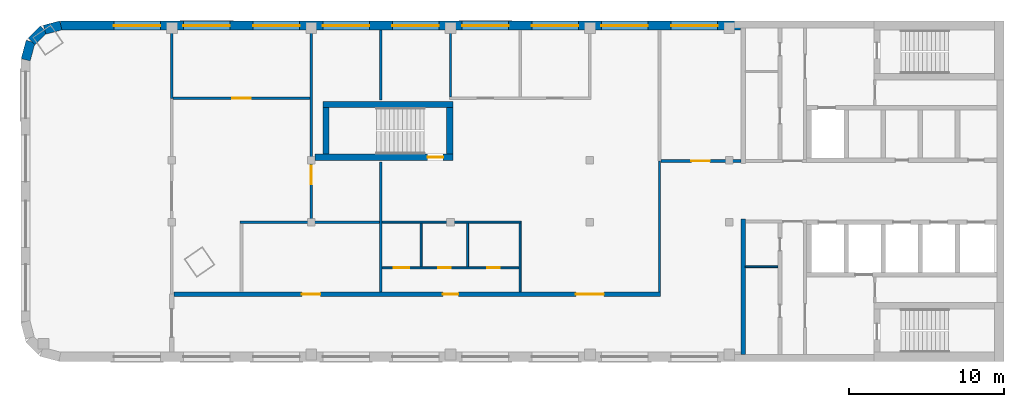
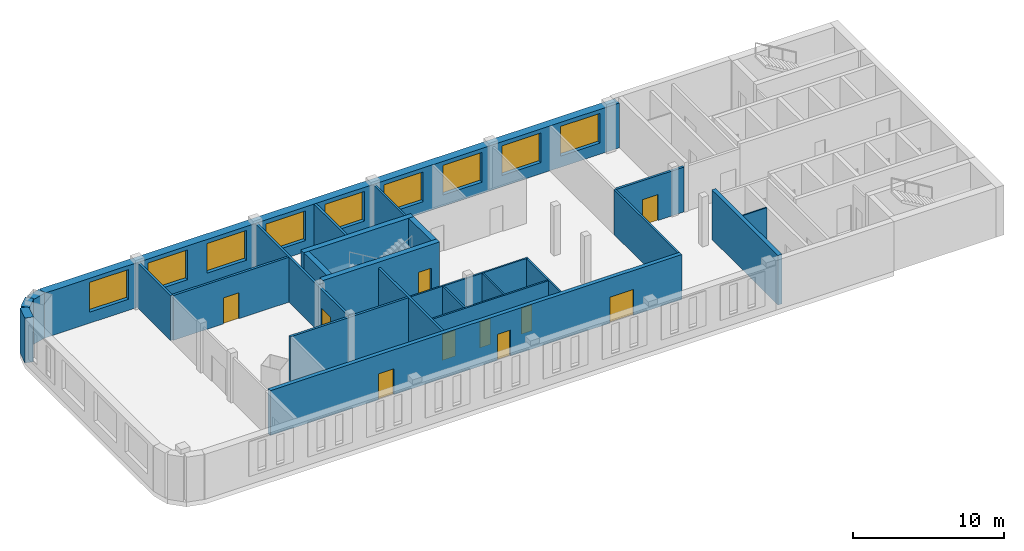
# One storey, part 2 of 5: 25 walls, 10 doors, 9 windows, 19 openings.
"""IFC4 building model written with IfcOpenShell, lengths in metres."""

from ifc_helpers import new_model, si_unit, direction, frame, frame_2d, origin, place, context, subcontext, project, spatial, rectangle, extrude, material, layer, layer_set, type_object, element, fill, save


model = new_model("IFC4")

# Units and contexts
model_context = context("Model", 3, precision=1e-05, world=origin(), true_north=direction((0.0, 1.0)))
body_context = subcontext(model_context, "Body", "Model", "MODEL_VIEW")
ifc_project = project(units=[si_unit("LENGTHUNIT", "METRE"), si_unit("AREAUNIT", "SQUARE_METRE"), si_unit("VOLUMEUNIT", "CUBIC_METRE"), si_unit("PLANEANGLEUNIT", "RADIAN"), si_unit("MASSUNIT", "GRAM", prefix="KILO")], contexts=[model_context])

# Site, building, storey
site_placement = place(None, origin())
site = spatial("IfcSite", under=ifc_project, at=site_placement, CompositionType="ELEMENT")
building_placement = place(site_placement, origin())
building = spatial("IfcBuilding", under=site, at=building_placement, Name="Skarvind Civic Tower", CompositionType="ELEMENT")
storey_placement = place(building_placement, frame((0.0, 0.0, 245.5)))
storey = spatial("IfcBuildingStorey", under=building, at=storey_placement, Name="L58", CompositionType="ELEMENT", Elevation=245.5)

# Wall, opening, door
ifc_material_1 = material(Name="Acoustic gypsum board on steel studs", Category="steel")
ifc_layer_1 = layer(ifc_material_1, 0.175048828125)
ifc_layer_set_1 = layer_set([ifc_layer_1], Name="ACOUSTIC MEETING-ROOM PARTITION 175")
wall_type_1 = type_object("IfcWallType", Name="ACOUSTIC MEETING-ROOM PARTITION 175", PredefinedType="PARTITIONING", material=ifc_layer_set_1)
wall_1_placement = place(storey_placement, frame((63.162109375, 134.0, 0.0), z_axis=(0.0, 0.0, 1.0), x_axis=(-1.0, 0.0, 0.0)))
wall_1 = element("IfcWall", 1, at=wall_1_placement, inside=storey, type_object=wall_type_1, Name="Partition 58.004", PredefinedType="PARTITIONING", context=body_context, shape_type="SweptSolid", body=[
    extrude(rectangle(XDim=8.82421875, YDim=0.175048828125, at=frame_2d((4.412109375, 0.0))), origin(), (0.0, 0.0, 1.0), 3.625),
])
opening_1_placement = place(wall_1_placement, frame((3.81201171875, 0.0, 0.0)))
opening_1 = element("IfcOpeningElement", 2, at=opening_1_placement, cuts=wall_1, Name="Opening L58-D010", PredefinedType="OPENING", context=body_context, shape_type="SweptSolid", body=[
    extrude(rectangle(XDim=1.199951171875, YDim=2.10009765625, at=frame_2d((0.60009765625, 1.050048828125))), frame((0.0, 0.097412109375, 0.0), z_axis=(0.0, -1.0, 0.0), x_axis=(1.0, 0.0, 0.0)), (0.0, 0.0, 1.0), 0.195068359375),
])
ifc_material_2 = material(Name="Timber door leaf", Category="wood")
door_type_1 = type_object("IfcDoorType", Name="DOOR 1200X2100 DOUBLE TIMBER", OperationType="NOTDEFINED", PredefinedType="DOOR", material=ifc_material_2)
door_1_placement = place(opening_1_placement, origin())
door_1 = element("IfcDoor", 3, at=door_1_placement, inside=storey, type_object=door_type_1, Name="Door L58-D010", OperationType="DOUBLE_DOOR_SINGLE_SWING", OverallHeight=2.10009765625, OverallWidth=1.199951171875, PredefinedType="DOOR", context=body_context, shape_type="SweptSolid", body=[
    extrude(rectangle(XDim=1.199951171875, YDim=2.10009765625, at=frame_2d((0.60009765625, 1.050048828125))), frame((0.0, 0.02490234375, 0.0), z_axis=(0.0, -1.0, 0.0), x_axis=(1.0, 0.0, 0.0)), (0.0, 0.0, 1.0), 0.050048828125),
])
fill(opening_1, door_1)

# Walls
wall_2_placement = place(storey_placement, frame((54.25, 138.39990234375, 0.0), z_axis=(0.0, 0.0, 1.0), x_axis=(0.0, -1.0, 0.0)))
element("IfcWall", 4, at=wall_2_placement, inside=storey, type_object=wall_type_1, Name="Partition 58.005", PredefinedType="PARTITIONING", context=body_context, shape_type="SweptSolid", body=[
    extrude(rectangle(XDim=4.39990234375, YDim=0.175048828125, at=frame_2d((2.199951171875, 0.0))), origin(), (0.0, 0.0, 1.0), 3.625),
])
wall_3_placement = place(storey_placement, frame((58.662109375, 126.0, 0.0), z_axis=(0.0, 0.0, 1.0), x_axis=(1.0, 0.0, 0.0)))
element("IfcWall", 5, at=wall_3_placement, inside=storey, type_object=wall_type_1, Name="Partition 58.007", PredefinedType="PARTITIONING", context=body_context, shape_type="SweptSolid", body=[
    extrude(rectangle(XDim=9.0, YDim=0.175048828125, at=frame_2d((4.5, 0.0))), origin(), (0.0, 0.0, 1.0), 3.625),
])

# Wall, opening, door
wall_4_placement = place(storey_placement, frame((63.25, 126.087890625, 0.0), z_axis=(0.0, 0.0, 1.0), x_axis=(0.0, 1.0, 0.0)))
wall_4 = element("IfcWall", 6, at=wall_4_placement, inside=storey, type_object=wall_type_1, Name="Partition 58.008", PredefinedType="PARTITIONING", context=body_context, shape_type="SweptSolid", body=[
    extrude(rectangle(XDim=12.31201171875, YDim=0.175048828125, at=frame_2d((6.156005859375, 0.0))), origin(), (0.0, 0.0, 1.0), 3.625),
])
opening_2_placement = place(wall_4_placement, frame((2.347412109375, 0.0, 0.0)))
opening_2 = element("IfcOpeningElement", 7, at=opening_2_placement, cuts=wall_4, Name="Opening L58-D012", PredefinedType="OPENING", context=body_context, shape_type="SweptSolid", body=[
    extrude(rectangle(XDim=1.199951171875, YDim=2.10009765625, at=frame_2d((0.60009765625, 1.050048828125))), frame((0.0, 0.097412109375, 0.0), z_axis=(0.0, -1.0, 0.0), x_axis=(1.0, 0.0, 0.0)), (0.0, 0.0, 1.0), 0.195068359375),
])
door_2_placement = place(opening_2_placement, origin())
door_2 = element("IfcDoor", 8, at=door_2_placement, inside=storey, type_object=door_type_1, Name="Door L58-D012", OperationType="DOUBLE_DOOR_SINGLE_SWING", OverallHeight=2.10009765625, OverallWidth=1.199951171875, PredefinedType="DOOR", context=body_context, shape_type="SweptSolid", body=[
    extrude(rectangle(XDim=1.199951171875, YDim=2.10009765625, at=frame_2d((0.60009765625, 1.050048828125))), frame((0.0, 0.02490234375, 0.0), z_axis=(0.0, -1.0, 0.0), x_axis=(1.0, 0.0, 0.0)), (0.0, 0.0, 1.0), 0.050048828125),
])
fill(opening_2, door_2)

# Walls
wall_5_placement = place(storey_placement, frame((67.75, 121.5, 0.0), z_axis=(0.0, 0.0, 1.0), x_axis=(0.0, 1.0, 0.0)))
element("IfcWall", 9, at=wall_5_placement, inside=storey, type_object=wall_type_1, Name="Partition 58.009", PredefinedType="PARTITIONING", context=body_context, shape_type="SweptSolid", body=[
    extrude(rectangle(XDim=8.39990234375, YDim=0.175048828125, at=frame_2d((4.199951171875, 0.0))), origin(), (0.0, 0.0, 1.0), 3.625),
])
wall_6_placement = place(storey_placement, frame((67.75, 133.89990234375, 0.0), z_axis=(0.0, 0.0, 1.0), x_axis=(0.0, 1.0, 0.0)))
element("IfcWall", 10, at=wall_6_placement, inside=storey, type_object=wall_type_1, Name="Partition 58.012", PredefinedType="PARTITIONING", context=body_context, shape_type="SweptSolid", body=[
    extrude(rectangle(XDim=4.5, YDim=0.175048828125, at=frame_2d((2.25, 0.0))), origin(), (0.0, 0.0, 1.0), 3.625),
])

# Wall, opening, door
wall_7_placement = place(storey_placement, frame((85.837890625, 129.949951171875, 0.0), z_axis=(0.0, 0.0, 1.0), x_axis=(1.0, 0.0, 0.0)))
wall_7 = element("IfcWall", 11, at=wall_7_placement, inside=storey, type_object=wall_type_1, Name="Partition 58.022", PredefinedType="PARTITIONING", context=body_context, shape_type="SweptSolid", body=[
    extrude(rectangle(XDim=5.162109375, YDim=0.175048828125, at=frame_2d((2.5810546875, 0.0))), origin(), (0.0, 0.0, 1.0), 3.625),
])
opening_3_placement = place(wall_7_placement, frame((1.970947265625, 0.0, 0.0)))
opening_3 = element("IfcOpeningElement", 12, at=opening_3_placement, cuts=wall_7, Name="Opening L58-D001", PredefinedType="OPENING", context=body_context, shape_type="SweptSolid", body=[
    extrude(rectangle(XDim=1.199951171875, YDim=2.10009765625, at=frame_2d((0.60009765625, 1.050048828125))), frame((0.0, 0.097412109375, 0.0), z_axis=(0.0, -1.0, 0.0), x_axis=(1.0, 0.0, 0.0)), (0.0, 0.0, 1.0), 0.195068359375),
])
door_3_placement = place(opening_3_placement, origin())
door_3 = element("IfcDoor", 13, at=door_3_placement, inside=storey, type_object=door_type_1, Name="Door L58-D001", OperationType="DOUBLE_DOOR_SINGLE_SWING", OverallHeight=2.10009765625, OverallWidth=1.199951171875, PredefinedType="DOOR", context=body_context, shape_type="SweptSolid", body=[
    extrude(rectangle(XDim=1.199951171875, YDim=2.10009765625, at=frame_2d((0.60009765625, 1.050048828125))), frame((0.0, 0.02490234375, 0.0), z_axis=(0.0, -1.0, 0.0), x_axis=(1.0, 0.0, 0.0)), (0.0, 0.0, 1.0), 0.050048828125),
])
fill(opening_3, door_3)

# Wall, openings, doors
ifc_material_3 = material(Name="Fire-rated gypsum board on steel studs", Category="steel")
ifc_layer_2 = layer(ifc_material_3, 0.300048828125)
ifc_layer_set_2 = layer_set([ifc_layer_2], Name="CORRIDOR WALL 300")
wall_type_2 = type_object("IfcWallType", Name="CORRIDOR WALL 300", PredefinedType="PARTITIONING", material=ifc_layer_set_2)
wall_8_placement = place(storey_placement, frame((54.39990234375, 121.35009765625, 0.0), z_axis=(0.0, 0.0, 1.0), x_axis=(1.0, 0.0, 0.0)))
wall_8 = element("IfcWall", 14, at=wall_8_placement, inside=storey, type_object=wall_type_2, Name="Partition 58.002", PredefinedType="PARTITIONING", context=body_context, shape_type="SweptSolid", body=[
    extrude(rectangle(XDim=31.425048828125, YDim=0.300048828125, at=frame_2d((15.71240234375, 0.0))), origin(), (0.0, 0.0, 1.0), 3.625),
])
opening_4_placement = place(wall_8_placement, frame((17.35009765625, 0.0, 0.0)))
opening_4 = element("IfcOpeningElement", 15, at=opening_4_placement, cuts=wall_8, Name="Opening L58-D002", PredefinedType="OPENING", context=body_context, shape_type="SweptSolid", body=[
    extrude(rectangle(XDim=1.0, YDim=2.10009765625, at=frame_2d((0.5, 1.050048828125))), frame((0.0, 0.159912109375, 0.0), z_axis=(0.0, -1.0, 0.0), x_axis=(1.0, 0.0, 0.0)), (0.0, 0.0, 1.0), 0.320068359375),
])
opening_5_placement = place(wall_8_placement, frame((25.949951171875, 0.0, 0.0)))
opening_5 = element("IfcOpeningElement", 16, at=opening_5_placement, cuts=wall_8, Name="Opening L58-D008", PredefinedType="OPENING", context=body_context, shape_type="SweptSolid", body=[
    extrude(rectangle(XDim=1.800048828125, YDim=2.10009765625, at=frame_2d((0.89990234375, 1.050048828125))), frame((0.0, 0.159912109375, 0.0), z_axis=(0.0, -1.0, 0.0), x_axis=(1.0, 0.0, 0.0)), (0.0, 0.0, 1.0), 0.320068359375),
])
opening_6_placement = place(wall_8_placement, frame((8.25, 0.0, 0.0)))
opening_6 = element("IfcOpeningElement", 17, at=opening_6_placement, cuts=wall_8, Name="Opening L58-D009", PredefinedType="OPENING", context=body_context, shape_type="SweptSolid", body=[
    extrude(rectangle(XDim=1.199951171875, YDim=2.10009765625, at=frame_2d((0.60009765625, 1.050048828125))), frame((0.0, 0.159912109375, 0.0), z_axis=(0.0, -1.0, 0.0), x_axis=(1.0, 0.0, 0.0)), (0.0, 0.0, 1.0), 0.320068359375),
])
ifc_material_4 = material(Name="Fire-rated timber door leaf", Category="wood")
door_type_2 = type_object("IfcDoorType", Name="FD1 1000x2100", OperationType="NOTDEFINED", PredefinedType="DOOR", material=ifc_material_4)
door_4_placement = place(opening_4_placement, origin())
door_4 = element("IfcDoor", 18, at=door_4_placement, inside=storey, type_object=door_type_2, Name="Door L58-D002", OperationType="SINGLE_SWING_LEFT", OverallHeight=2.10009765625, OverallWidth=1.0, PredefinedType="DOOR", context=body_context, shape_type="SweptSolid", body=[
    extrude(rectangle(XDim=1.0, YDim=2.10009765625, at=frame_2d((0.5, 1.050048828125))), frame((0.0, 0.02490234375, 0.0), z_axis=(0.0, -1.0, 0.0), x_axis=(1.0, 0.0, 0.0)), (0.0, 0.0, 1.0), 0.050048828125),
])
fill(opening_4, door_4)
door_type_3 = type_object("IfcDoorType", Name="FD4 1800x2100", OperationType="NOTDEFINED", PredefinedType="DOOR", material=ifc_material_4)
door_5_placement = place(opening_5_placement, origin())
door_5 = element("IfcDoor", 19, at=door_5_placement, inside=storey, type_object=door_type_3, Name="Door L58-D008", OperationType="DOUBLE_DOOR_SINGLE_SWING", OverallHeight=2.10009765625, OverallWidth=1.800048828125, PredefinedType="DOOR", context=body_context, shape_type="SweptSolid", body=[
    extrude(rectangle(XDim=1.800048828125, YDim=2.10009765625, at=frame_2d((0.89990234375, 1.050048828125))), frame((0.0, 0.02490234375, 0.0), z_axis=(0.0, -1.0, 0.0), x_axis=(1.0, 0.0, 0.0)), (0.0, 0.0, 1.0), 0.050048828125),
])
fill(opening_5, door_5)
door_type_4 = type_object("IfcDoorType", Name="FD6 1200x2100 DOUBLE", OperationType="NOTDEFINED", PredefinedType="DOOR", material=ifc_material_4)
door_6_placement = place(opening_6_placement, origin())
door_6 = element("IfcDoor", 20, at=door_6_placement, inside=storey, type_object=door_type_4, Name="Door L58-D009", OperationType="DOUBLE_DOOR_SINGLE_SWING", OverallHeight=2.10009765625, OverallWidth=1.199951171875, PredefinedType="DOOR", context=body_context, shape_type="SweptSolid", body=[
    extrude(rectangle(XDim=1.199951171875, YDim=2.10009765625, at=frame_2d((0.60009765625, 1.050048828125))), frame((0.0, 0.02490234375, 0.0), z_axis=(0.0, -1.0, 0.0), x_axis=(1.0, 0.0, 0.0)), (0.0, 0.0, 1.0), 0.050048828125),
])
fill(opening_6, door_6)

# Walls
ifc_material_5 = material(Name="Fire-rated plasterboard partition")
ifc_layer_3 = layer(ifc_material_5, 0.10009765625)
ifc_layer_set_3 = layer_set([ifc_layer_3], Name="Core partition wall 100")
wall_type_3 = type_object("IfcWallType", Name="Core partition wall 100", PredefinedType="PARTITIONING", material=ifc_layer_set_3)
wall_9_placement = place(storey_placement, frame((93.39990234375, 123.1201171875, 0.0), z_axis=(0.0, 0.0, 1.0), x_axis=(-1.0, 0.0, 0.0)))
element("IfcWall", 21, at=wall_9_placement, inside=storey, type_object=wall_type_3, Name="Core wall C1", PredefinedType="PARTITIONING", context=body_context, shape_type="SweptSolid", body=[
    extrude(rectangle(XDim=2.099853515625, YDim=0.10009765625, at=frame_2d((1.0498046875, 0.0))), origin(), (0.0, 0.0, 1.0), 3.625),
])
ifc_material_6 = material(Name="Concrete C60", Category="concrete")
ifc_layer_4 = layer(ifc_material_6, 0.300048828125)
ifc_layer_set_4 = layer_set([ifc_layer_4], Name="Core wall 300 C60")
wall_type_4 = type_object("IfcWallType", Name="Core wall 300 C60", PredefinedType="SHEAR", material=ifc_layer_set_4)
wall_10_placement = place(storey_placement, frame((91.14990234375, 126.199951171875, 0.0), z_axis=(0.0, 0.0, 1.0), x_axis=(0.0, -1.0, 0.0)))
element("IfcWall", 22, at=wall_10_placement, inside=storey, type_object=wall_type_4, Name="Core wall C1 north inner face L58", PredefinedType="SHEAR", context=body_context, shape_type="SweptSolid", body=[
    extrude(rectangle(XDim=8.75, YDim=0.300048828125, at=frame_2d((4.375, 0.0))), origin(), (0.0, 0.0, 1.0), 4.0),
])

# Wall, opening, door
ifc_layer_5 = layer(ifc_material_6, 0.39990234375)
ifc_layer_set_5 = layer_set([ifc_layer_5], Name="Core wall 400 C60")
wall_type_5 = type_object("IfcWallType", Name="Core wall 400 C60", PredefinedType="SHEAR", material=ifc_layer_set_5)
wall_11_placement = place(storey_placement, frame((63.5, 130.199951171875, 0.0), z_axis=(0.0, 0.0, 1.0), x_axis=(1.0, 0.0, 0.0)))
wall_11 = element("IfcWall", 23, at=wall_11_placement, inside=storey, type_object=wall_type_5, Name="Core wall CM inner L58", PredefinedType="SHEAR", context=body_context, shape_type="SweptSolid", body=[
    extrude(rectangle(XDim=8.89990234375, YDim=0.39990234375, at=frame_2d((4.449951171875, 0.0))), origin(), (0.0, 0.0, 1.0), 4.0),
])
opening_7_placement = place(wall_11_placement, frame((7.27490234375, 0.0, 0.0)))
opening_7 = element("IfcOpeningElement", 24, at=opening_7_placement, cuts=wall_11, Name="Opening D-L58-CM-01", PredefinedType="OPENING", context=body_context, shape_type="SweptSolid", body=[
    extrude(rectangle(XDim=1.0, YDim=2.10009765625, at=frame_2d((0.5, 1.050048828125))), frame((0.0, 0.2099609375, 0.0), z_axis=(0.0, -1.0, 0.0), x_axis=(1.0, 0.0, 0.0)), (0.0, 0.0, 1.0), 0.419921875),
])
ifc_material_7 = material(Name="Fire-rated steel door", Category="steel")
door_type_5 = type_object("IfcDoorType", Name="Fire door 1000", OperationType="NOTDEFINED", PredefinedType="DOOR", material=ifc_material_7)
door_7_placement = place(opening_7_placement, origin())
door_7 = element("IfcDoor", 25, at=door_7_placement, inside=storey, type_object=door_type_5, Name="Fire door", OperationType="SINGLE_SWING_LEFT", OverallHeight=2.10009765625, OverallWidth=1.0, PredefinedType="DOOR", context=body_context, shape_type="SweptSolid", body=[
    extrude(rectangle(XDim=1.0, YDim=2.10009765625, at=frame_2d((0.5, 1.050048828125))), frame((0.0, 0.02490234375, 0.0), z_axis=(0.0, -1.0, 0.0), x_axis=(1.0, 0.0, 0.0)), (0.0, 0.0, 1.0), 0.050048828125),
])
fill(opening_7, door_7)

# Walls
wall_12_placement = place(storey_placement, frame((64.0, 133.60009765625, 0.0), z_axis=(0.0, 0.0, 1.0), x_axis=(1.0, 0.0, 0.0)))
element("IfcWall", 26, at=wall_12_placement, inside=storey, type_object=wall_type_5, Name="Core wall CM outer L58", PredefinedType="SHEAR", context=body_context, shape_type="SweptSolid", body=[
    extrude(rectangle(XDim=8.39990234375, YDim=0.39990234375, at=frame_2d((4.199951171875, 0.0))), origin(), (0.0, 0.0, 1.0), 4.0),
])
for number, where, z_axis, x_axis, name in (
    (27, (64.199951171875, 130.39990234375, 0.0), (0.0, 0.0, 1.0), (0.0, 1.0, 0.0), "Core wall CM west L58"),
    (28, (72.199951171875, 130.39990234375, 0.0), (0.0, 0.0, 1.0), (0.0, 1.0, 0.0), "Core wall CM end L58"),
):
    element("IfcWall", number, at=place(storey_placement, frame(where, z_axis=z_axis, x_axis=x_axis)), inside=storey, type_object=wall_type_5, Name=name, PredefinedType="SHEAR", context=body_context, shape_type="SweptSolid", body=[
        extrude(rectangle(XDim=3.0, YDim=0.39990234375, at=frame_2d((1.5, 0.0))), origin(), (0.0, 0.0, 1.0), 4.0),
    ])
ifc_material_8 = material(Name="Plasterboard partition on steel studs", Category="steel")
ifc_layer_6 = layer(ifc_material_8, 0.14990234375)
ifc_layer_set_6 = layer_set([ifc_layer_6], Name="PARTITION 150")
wall_type_6 = type_object("IfcWallType", Name="PARTITION 150", PredefinedType="PARTITIONING", material=ifc_layer_set_6)
wall_13_placement = place(storey_placement, frame((72.25, 134.074951171875, 0.0), z_axis=(0.0, 0.0, 1.0), x_axis=(0.0, 1.0, 0.0)))
element("IfcWall", 29, at=wall_13_placement, inside=storey, type_object=wall_type_6, Name="Partition 58.014", PredefinedType="PARTITIONING", context=body_context, shape_type="SweptSolid", body=[
    extrude(rectangle(XDim=4.324951171875, YDim=0.14990234375, at=frame_2d((2.16259765625, 0.0))), origin(), (0.0, 0.0, 1.0), 3.625),
])
wall_14_placement = place(storey_placement, frame((85.75, 121.5, 0.0), z_axis=(0.0, 0.0, 1.0), x_axis=(0.0, 1.0, 0.0)))
element("IfcWall", 30, at=wall_14_placement, inside=storey, type_object=wall_type_6, Name="Partition 58.020", PredefinedType="PARTITIONING", context=body_context, shape_type="SweptSolid", body=[
    extrude(rectangle(XDim=8.449951171875, YDim=0.14990234375, at=frame_2d((4.22509765625, 0.0))), origin(), (0.0, 0.0, 1.0), 3.625),
])

# Wall, openings, doors
ifc_material_9 = material(Name="Moisture-resistant gypsum board on steel studs", Category="steel")
ifc_layer_7 = layer(ifc_material_9, 0.125)
ifc_layer_set_7 = layer_set([ifc_layer_7], Name="WC PARTITION 125")
wall_type_7 = type_object("IfcWallType", Name="WC PARTITION 125", PredefinedType="PARTITIONING", material=ifc_layer_set_7)
wall_15_placement = place(storey_placement, frame((67.837890625, 123.050048828125, 0.0), z_axis=(0.0, 0.0, 1.0), x_axis=(1.0, 0.0, 0.0)))
wall_15 = element("IfcWall", 31, at=wall_15_placement, inside=storey, type_object=wall_type_7, Name="Partition 58.010", PredefinedType="PARTITIONING", context=body_context, shape_type="SweptSolid", body=[
    extrude(rectangle(XDim=8.85009765625, YDim=0.125, at=frame_2d((4.425048828125, 0.0))), origin(), (0.0, 0.0, 1.0), 3.625),
])
opening_8_placement = place(wall_15_placement, frame((6.791015625, 0.0, 0.0)))
opening_8 = element("IfcOpeningElement", 32, at=opening_8_placement, cuts=wall_15, Name="Opening L58-D003", PredefinedType="OPENING", context=body_context, shape_type="SweptSolid", body=[
    extrude(rectangle(XDim=0.800048828125, YDim=2.10009765625, at=frame_2d((0.39990234375, 1.050048828125))), frame((0.0, 0.072509765625, 0.0), z_axis=(0.0, -1.0, 0.0), x_axis=(1.0, 0.0, 0.0)), (0.0, 0.0, 1.0), 0.14501953125),
])
opening_9_placement = place(wall_15_placement, frame((3.612060546875, 0.0, 0.0)))
opening_9 = element("IfcOpeningElement", 33, at=opening_9_placement, cuts=wall_15, Name="Opening L58-D004", PredefinedType="OPENING", context=body_context, shape_type="SweptSolid", body=[
    extrude(rectangle(XDim=0.800048828125, YDim=2.10009765625, at=frame_2d((0.39990234375, 1.050048828125))), frame((0.0, 0.072509765625, 0.0), z_axis=(0.0, -1.0, 0.0), x_axis=(1.0, 0.0, 0.0)), (0.0, 0.0, 1.0), 0.14501953125),
])
opening_10_placement = place(wall_15_placement, frame((0.74609375, 0.0, 0.0)))
opening_10 = element("IfcOpeningElement", 34, at=opening_10_placement, cuts=wall_15, Name="Opening L58-D005", PredefinedType="OPENING", context=body_context, shape_type="SweptSolid", body=[
    extrude(rectangle(XDim=1.0, YDim=2.10009765625, at=frame_2d((0.5, 1.050048828125))), frame((0.0, 0.072509765625, 0.0), z_axis=(0.0, -1.0, 0.0), x_axis=(1.0, 0.0, 0.0)), (0.0, 0.0, 1.0), 0.14501953125),
])
door_type_6 = type_object("IfcDoorType", Name="D1 1000x2100", OperationType="NOTDEFINED", PredefinedType="DOOR", material=ifc_material_2)
door_8_placement = place(opening_10_placement, origin())
door_8 = element("IfcDoor", 35, at=door_8_placement, inside=storey, type_object=door_type_6, Name="Door L58-D005", OperationType="SINGLE_SWING_LEFT", OverallHeight=2.10009765625, OverallWidth=1.0, PredefinedType="DOOR", context=body_context, shape_type="SweptSolid", body=[
    extrude(rectangle(XDim=1.0, YDim=2.10009765625, at=frame_2d((0.5, 1.050048828125))), frame((0.0, 0.02490234375, 0.0), z_axis=(0.0, -1.0, 0.0), x_axis=(1.0, 0.0, 0.0)), (0.0, 0.0, 1.0), 0.050048828125),
])
fill(opening_10, door_8)
door_type_7 = type_object("IfcDoorType", Name="DOOR 800X2100 TIMBER", OperationType="NOTDEFINED", PredefinedType="DOOR", material=ifc_material_2)
door_9_placement = place(opening_8_placement, origin())
door_9 = element("IfcDoor", 36, at=door_9_placement, inside=storey, type_object=door_type_7, Name="Door L58-D003", OperationType="SINGLE_SWING_RIGHT", OverallHeight=2.10009765625, OverallWidth=0.800048828125, PredefinedType="DOOR", context=body_context, shape_type="SweptSolid", body=[
    extrude(rectangle(XDim=0.800048828125, YDim=2.10009765625, at=frame_2d((0.39990234375, 1.050048828125))), frame((0.0, 0.02490234375, 0.0), z_axis=(0.0, -1.0, 0.0), x_axis=(1.0, 0.0, 0.0)), (0.0, 0.0, 1.0), 0.050048828125),
])
fill(opening_8, door_9)
door_10_placement = place(opening_9_placement, origin())
door_10 = element("IfcDoor", 37, at=door_10_placement, inside=storey, type_object=door_type_7, Name="Door L58-D004", OperationType="SINGLE_SWING_LEFT", OverallHeight=2.10009765625, OverallWidth=0.800048828125, PredefinedType="DOOR", context=body_context, shape_type="SweptSolid", body=[
    extrude(rectangle(XDim=0.800048828125, YDim=2.10009765625, at=frame_2d((0.39990234375, 1.050048828125))), frame((0.0, 0.02490234375, 0.0), z_axis=(0.0, -1.0, 0.0), x_axis=(1.0, 0.0, 0.0)), (0.0, 0.0, 1.0), 0.050048828125),
])
fill(opening_9, door_10)

# Walls
wall_16_placement = place(storey_placement, frame((67.837890625, 126.0, 0.0), z_axis=(0.0, 0.0, 1.0), x_axis=(1.0, 0.0, 0.0)))
element("IfcWall", 38, at=wall_16_placement, inside=storey, type_object=wall_type_7, Name="Partition 58.011", PredefinedType="PARTITIONING", context=body_context, shape_type="SweptSolid", body=[
    extrude(rectangle(XDim=8.97412109375, YDim=0.125, at=frame_2d((4.487060546875, 0.0))), origin(), (0.0, 0.0, 1.0), 3.625),
])
for number, where, z_axis, x_axis, name in (
    (39, (70.35009765625, 125.93798828125, 0.0), (0.0, 0.0, 1.0), (0.0, -1.0, 0.0), "Partition 58.013"),
    (40, (73.35009765625, 125.93798828125, 0.0), (0.0, 0.0, 1.0), (0.0, -1.0, 0.0), "Partition 58.016"),
):
    element("IfcWall", number, at=place(storey_placement, frame(where, z_axis=z_axis, x_axis=x_axis)), inside=storey, type_object=wall_type_7, Name=name, PredefinedType="PARTITIONING", context=body_context, shape_type="SweptSolid", body=[
        extrude(rectangle(XDim=2.825927734375, YDim=0.125, at=frame_2d((1.4130859375, 0.0))), origin(), (0.0, 0.0, 1.0), 3.625),
    ])
wall_17_placement = place(storey_placement, frame((76.75, 125.93798828125, 0.0), z_axis=(0.0, 0.0, 1.0), x_axis=(0.0, -1.0, 0.0)))
element("IfcWall", 41, at=wall_17_placement, inside=storey, type_object=wall_type_7, Name="Partition 58.017", PredefinedType="PARTITIONING", context=body_context, shape_type="SweptSolid", body=[
    extrude(rectangle(XDim=4.43798828125, YDim=0.125, at=frame_2d((2.218994140625, 0.0))), origin(), (0.0, 0.0, 1.0), 3.625),
])

# Wall, openings, windows
ifc_material_10 = material(Name="Standing-seam zinc cladding on insulated backing")
ifc_layer_8 = layer(ifc_material_10, 0.60009765625)
ifc_layer_set_8 = layer_set([ifc_layer_8], Name="WX2 ZINC-CLAD FACADE WALL 600")
wall_type_8 = type_object("IfcWallType", Name="WX2 ZINC-CLAD FACADE WALL 600", PredefinedType="SOLIDWALL", material=ifc_layer_set_8)
wall_18_placement = place(storey_placement, frame((47.070068359375, 138.699951171875, 0.0), z_axis=(0.0, 0.0, 1.0), x_axis=(1.0, 0.0, 0.0)))
wall_18 = element("IfcWall", 42, at=wall_18_placement, inside=storey, type_object=wall_type_8, Name="ZINC-CLAD FACADE WALL", PredefinedType="SOLIDWALL", context=body_context, shape_type="SweptSolid", body=[
    extrude(rectangle(XDim=43.909912109375, YDim=0.60009765625, at=frame_2d((21.955078125, 0.0))), origin(), (0.0, 0.0, 1.0), 3.625),
])
opening_11_placement = place(wall_18_placement, frame((3.429931640625, 0.0, 0.89990234375)))
opening_11 = element("IfcOpeningElement", 43, at=opening_11_placement, cuts=wall_18, Name="Opening WN4", PredefinedType="OPENING", context=body_context, shape_type="SweptSolid", body=[
    extrude(rectangle(XDim=3.0, YDim=2.39990234375, at=frame_2d((1.5, 1.199951171875))), frame((0.0, 0.31005859375, 0.0), z_axis=(0.0, -1.0, 0.0), x_axis=(1.0, 0.0, 0.0)), (0.0, 0.0, 1.0), 0.6201171875),
])
opening_12_placement = place(wall_18_placement, frame((7.929931640625, 0.0, 0.89990234375)))
opening_12 = element("IfcOpeningElement", 44, at=opening_12_placement, cuts=wall_18, Name="Opening WN4", PredefinedType="OPENING", context=body_context, shape_type="SweptSolid", body=[
    extrude(rectangle(XDim=3.0, YDim=2.39990234375, at=frame_2d((1.5, 1.199951171875))), frame((0.0, 0.31005859375, 0.0), z_axis=(0.0, -1.0, 0.0), x_axis=(1.0, 0.0, 0.0)), (0.0, 0.0, 1.0), 0.6201171875),
])
opening_13_placement = place(wall_18_placement, frame((12.429931640625, 0.0, 0.89990234375)))
opening_13 = element("IfcOpeningElement", 45, at=opening_13_placement, cuts=wall_18, Name="Opening WN4", PredefinedType="OPENING", context=body_context, shape_type="SweptSolid", body=[
    extrude(rectangle(XDim=3.0, YDim=2.39990234375, at=frame_2d((1.5, 1.199951171875))), frame((0.0, 0.31005859375, 0.0), z_axis=(0.0, -1.0, 0.0), x_axis=(1.0, 0.0, 0.0)), (0.0, 0.0, 1.0), 0.6201171875),
])
opening_14_placement = place(wall_18_placement, frame((16.929931640625, 0.0, 0.89990234375)))
opening_14 = element("IfcOpeningElement", 46, at=opening_14_placement, cuts=wall_18, Name="Opening WN4", PredefinedType="OPENING", context=body_context, shape_type="SweptSolid", body=[
    extrude(rectangle(XDim=3.0, YDim=2.39990234375, at=frame_2d((1.5, 1.199951171875))), frame((0.0, 0.31005859375, 0.0), z_axis=(0.0, -1.0, 0.0), x_axis=(1.0, 0.0, 0.0)), (0.0, 0.0, 1.0), 0.6201171875),
])
opening_15_placement = place(wall_18_placement, frame((21.429931640625, 0.0, 0.89990234375)))
opening_15 = element("IfcOpeningElement", 47, at=opening_15_placement, cuts=wall_18, Name="Opening WN4", PredefinedType="OPENING", context=body_context, shape_type="SweptSolid", body=[
    extrude(rectangle(XDim=3.0, YDim=2.39990234375, at=frame_2d((1.5, 1.199951171875))), frame((0.0, 0.31005859375, 0.0), z_axis=(0.0, -1.0, 0.0), x_axis=(1.0, 0.0, 0.0)), (0.0, 0.0, 1.0), 0.6201171875),
])
opening_16_placement = place(wall_18_placement, frame((25.929931640625, 0.0, 0.89990234375)))
opening_16 = element("IfcOpeningElement", 48, at=opening_16_placement, cuts=wall_18, Name="Opening WN4", PredefinedType="OPENING", context=body_context, shape_type="SweptSolid", body=[
    extrude(rectangle(XDim=3.0, YDim=2.39990234375, at=frame_2d((1.5, 1.199951171875))), frame((0.0, 0.31005859375, 0.0), z_axis=(0.0, -1.0, 0.0), x_axis=(1.0, 0.0, 0.0)), (0.0, 0.0, 1.0), 0.6201171875),
])
opening_17_placement = place(wall_18_placement, frame((30.429931640625, 0.0, 0.89990234375)))
opening_17 = element("IfcOpeningElement", 49, at=opening_17_placement, cuts=wall_18, Name="Opening WN4", PredefinedType="OPENING", context=body_context, shape_type="SweptSolid", body=[
    extrude(rectangle(XDim=3.0, YDim=2.39990234375, at=frame_2d((1.5, 1.199951171875))), frame((0.0, 0.31005859375, 0.0), z_axis=(0.0, -1.0, 0.0), x_axis=(1.0, 0.0, 0.0)), (0.0, 0.0, 1.0), 0.6201171875),
])
opening_18_placement = place(wall_18_placement, frame((34.929931640625, 0.0, 0.89990234375)))
opening_18 = element("IfcOpeningElement", 50, at=opening_18_placement, cuts=wall_18, Name="Opening WN4", PredefinedType="OPENING", context=body_context, shape_type="SweptSolid", body=[
    extrude(rectangle(XDim=3.0, YDim=2.39990234375, at=frame_2d((1.5, 1.199951171875))), frame((0.0, 0.31005859375, 0.0), z_axis=(0.0, -1.0, 0.0), x_axis=(1.0, 0.0, 0.0)), (0.0, 0.0, 1.0), 0.6201171875),
])
opening_19_placement = place(wall_18_placement, frame((39.429931640625, 0.0, 0.89990234375)))
opening_19 = element("IfcOpeningElement", 51, at=opening_19_placement, cuts=wall_18, Name="Opening WN4", PredefinedType="OPENING", context=body_context, shape_type="SweptSolid", body=[
    extrude(rectangle(XDim=3.0, YDim=2.39990234375, at=frame_2d((1.5, 1.199951171875))), frame((0.0, 0.31005859375, 0.0), z_axis=(0.0, -1.0, 0.0), x_axis=(1.0, 0.0, 0.0)), (0.0, 0.0, 1.0), 0.6201171875),
])
ifc_material_11 = material(Name="Timber frame, double glazing, copper-lined reveal", Category="wood")
window_type = type_object("IfcWindowType", Name="WN4 COPPER-LINED WINDOW 3000 x 2400", PartitioningType="SINGLE_PANEL", PredefinedType="WINDOW", material=ifc_material_11)
window_1_placement = place(opening_11_placement, origin())
window_1 = element("IfcWindow", 52, at=window_1_placement, inside=storey, type_object=window_type, Name="WN4 WINDOW", OverallHeight=2.39990234375, OverallWidth=3.0, PartitioningType="SINGLE_PANEL", PredefinedType="WINDOW", context=body_context, shape_type="SweptSolid", body=[
    extrude(rectangle(XDim=3.0, YDim=2.39990234375, at=frame_2d((1.5, 1.199951171875))), frame((0.0, 0.030029296875, 0.0), z_axis=(0.0, -1.0, 0.0), x_axis=(1.0, 0.0, 0.0)), (0.0, 0.0, 1.0), 0.06005859375),
])
fill(opening_11, window_1)
window_2_placement = place(opening_12_placement, origin())
window_2 = element("IfcWindow", 53, at=window_2_placement, inside=storey, type_object=window_type, Name="WN4 WINDOW", OverallHeight=2.39990234375, OverallWidth=3.0, PartitioningType="SINGLE_PANEL", PredefinedType="WINDOW", context=body_context, shape_type="SweptSolid", body=[
    extrude(rectangle(XDim=3.0, YDim=2.39990234375, at=frame_2d((1.5, 1.199951171875))), frame((0.0, 0.030029296875, 0.0), z_axis=(0.0, -1.0, 0.0), x_axis=(1.0, 0.0, 0.0)), (0.0, 0.0, 1.0), 0.06005859375),
])
fill(opening_12, window_2)
window_3_placement = place(opening_13_placement, origin())
window_3 = element("IfcWindow", 54, at=window_3_placement, inside=storey, type_object=window_type, Name="WN4 WINDOW", OverallHeight=2.39990234375, OverallWidth=3.0, PartitioningType="SINGLE_PANEL", PredefinedType="WINDOW", context=body_context, shape_type="SweptSolid", body=[
    extrude(rectangle(XDim=3.0, YDim=2.39990234375, at=frame_2d((1.5, 1.199951171875))), frame((0.0, 0.030029296875, 0.0), z_axis=(0.0, -1.0, 0.0), x_axis=(1.0, 0.0, 0.0)), (0.0, 0.0, 1.0), 0.06005859375),
])
fill(opening_13, window_3)
window_4_placement = place(opening_14_placement, origin())
window_4 = element("IfcWindow", 55, at=window_4_placement, inside=storey, type_object=window_type, Name="WN4 WINDOW", OverallHeight=2.39990234375, OverallWidth=3.0, PartitioningType="SINGLE_PANEL", PredefinedType="WINDOW", context=body_context, shape_type="SweptSolid", body=[
    extrude(rectangle(XDim=3.0, YDim=2.39990234375, at=frame_2d((1.5, 1.199951171875))), frame((0.0, 0.030029296875, 0.0), z_axis=(0.0, -1.0, 0.0), x_axis=(1.0, 0.0, 0.0)), (0.0, 0.0, 1.0), 0.06005859375),
])
fill(opening_14, window_4)
window_5_placement = place(opening_15_placement, origin())
window_5 = element("IfcWindow", 56, at=window_5_placement, inside=storey, type_object=window_type, Name="WN4 WINDOW", OverallHeight=2.39990234375, OverallWidth=3.0, PartitioningType="SINGLE_PANEL", PredefinedType="WINDOW", context=body_context, shape_type="SweptSolid", body=[
    extrude(rectangle(XDim=3.0, YDim=2.39990234375, at=frame_2d((1.5, 1.199951171875))), frame((0.0, 0.030029296875, 0.0), z_axis=(0.0, -1.0, 0.0), x_axis=(1.0, 0.0, 0.0)), (0.0, 0.0, 1.0), 0.06005859375),
])
fill(opening_15, window_5)
window_6_placement = place(opening_16_placement, origin())
window_6 = element("IfcWindow", 57, at=window_6_placement, inside=storey, type_object=window_type, Name="WN4 WINDOW", OverallHeight=2.39990234375, OverallWidth=3.0, PartitioningType="SINGLE_PANEL", PredefinedType="WINDOW", context=body_context, shape_type="SweptSolid", body=[
    extrude(rectangle(XDim=3.0, YDim=2.39990234375, at=frame_2d((1.5, 1.199951171875))), frame((0.0, 0.030029296875, 0.0), z_axis=(0.0, -1.0, 0.0), x_axis=(1.0, 0.0, 0.0)), (0.0, 0.0, 1.0), 0.06005859375),
])
fill(opening_16, window_6)
window_7_placement = place(opening_17_placement, origin())
window_7 = element("IfcWindow", 58, at=window_7_placement, inside=storey, type_object=window_type, Name="WN4 WINDOW", OverallHeight=2.39990234375, OverallWidth=3.0, PartitioningType="SINGLE_PANEL", PredefinedType="WINDOW", context=body_context, shape_type="SweptSolid", body=[
    extrude(rectangle(XDim=3.0, YDim=2.39990234375, at=frame_2d((1.5, 1.199951171875))), frame((0.0, 0.030029296875, 0.0), z_axis=(0.0, -1.0, 0.0), x_axis=(1.0, 0.0, 0.0)), (0.0, 0.0, 1.0), 0.06005859375),
])
fill(opening_17, window_7)
window_8_placement = place(opening_18_placement, origin())
window_8 = element("IfcWindow", 59, at=window_8_placement, inside=storey, type_object=window_type, Name="WN4 WINDOW", OverallHeight=2.39990234375, OverallWidth=3.0, PartitioningType="SINGLE_PANEL", PredefinedType="WINDOW", context=body_context, shape_type="SweptSolid", body=[
    extrude(rectangle(XDim=3.0, YDim=2.39990234375, at=frame_2d((1.5, 1.199951171875))), frame((0.0, 0.030029296875, 0.0), z_axis=(0.0, -1.0, 0.0), x_axis=(1.0, 0.0, 0.0)), (0.0, 0.0, 1.0), 0.06005859375),
])
fill(opening_18, window_8)
window_9_placement = place(opening_19_placement, origin())
window_9 = element("IfcWindow", 60, at=window_9_placement, inside=storey, type_object=window_type, Name="WN4 WINDOW", OverallHeight=2.39990234375, OverallWidth=3.0, PartitioningType="SINGLE_PANEL", PredefinedType="WINDOW", context=body_context, shape_type="SweptSolid", body=[
    extrude(rectangle(XDim=3.0, YDim=2.39990234375, at=frame_2d((1.5, 1.199951171875))), frame((0.0, 0.030029296875, 0.0), z_axis=(0.0, -1.0, 0.0), x_axis=(1.0, 0.0, 0.0)), (0.0, 0.0, 1.0), 0.06005859375),
])
fill(opening_19, window_9)

# Walls
wall_19_placement = place(storey_placement, frame((46.030517578125, 138.4296875, 0.0), z_axis=(0.0, 0.0, 1.0), x_axis=(0.965939004864, 0.25876985698, 0.0)))
element("IfcWall", 61, at=wall_19_placement, inside=storey, type_object=wall_type_8, Name="ZINC-CLAD FACADE WALL", PredefinedType="SOLIDWALL", context=body_context, shape_type="SweptSolid", body=[
    extrude(rectangle(XDim=1.083984375, YDim=0.60009765625, at=frame_2d((0.5419921875, 0.0))), origin(), (0.0, 0.0, 1.0), 3.625),
])
wall_20_placement = place(storey_placement, frame((45.195556640625, 137.686279296875, 0.0), z_axis=(0.0, 0.0, 1.0), x_axis=(0.707106781187, 0.707106781187, 0.0)))
element("IfcWall", 62, at=wall_20_placement, inside=storey, type_object=wall_type_8, Name="ZINC-CLAD FACADE WALL", PredefinedType="SOLIDWALL", context=body_context, shape_type="SweptSolid", body=[
    extrude(rectangle(XDim=1.084228515625, YDim=0.60009765625, at=frame_2d((0.5419921875, 0.0))), origin(), (0.0, 0.0, 1.0), 3.625),
])
wall_21_placement = place(storey_placement, frame((44.807861328125, 136.489990234375, 0.0), z_axis=(0.0, 0.0, 1.0), x_axis=(0.258878975098, 0.965909766102, 0.0)))
element("IfcWall", 63, at=wall_21_placement, inside=storey, type_object=wall_type_8, Name="ZINC-CLAD FACADE WALL", PredefinedType="SOLIDWALL", context=body_context, shape_type="SweptSolid", body=[
    extrude(rectangle(XDim=1.22412109375, YDim=0.60009765625, at=frame_2d((0.612060546875, 0.0))), origin(), (0.0, 0.0, 1.0), 3.625),
])

save(model, "model.ifc")
